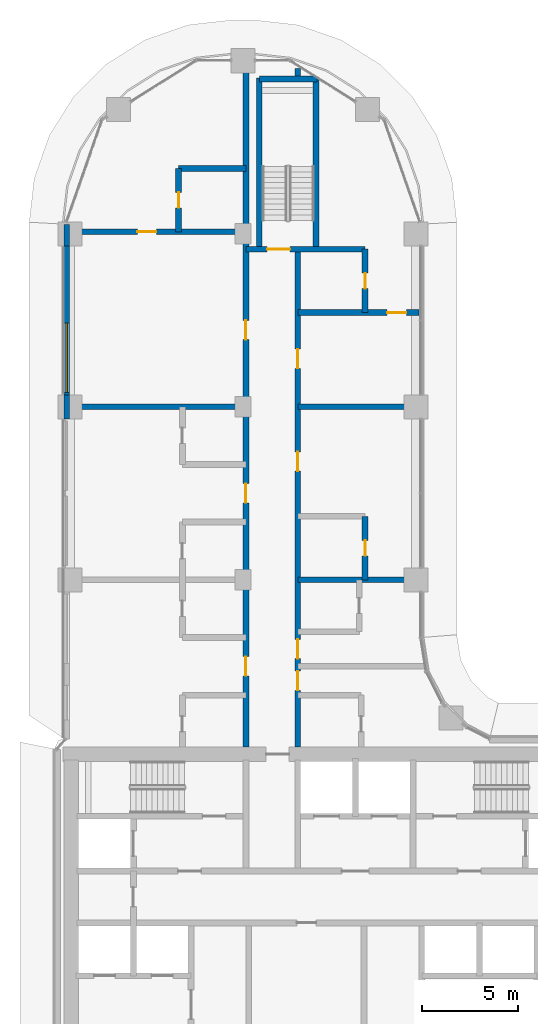
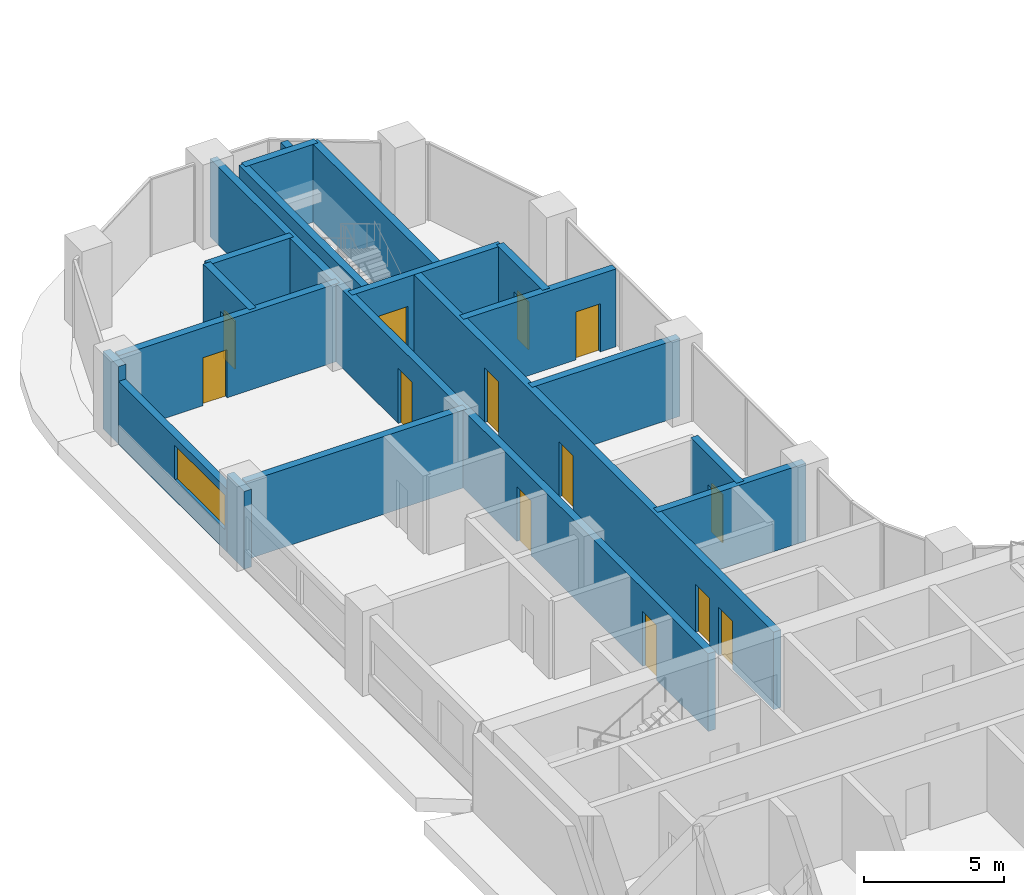
# One storey, part 19 of 33: 19 walls, 13 doors, 1 window, 14 openings.
"""IFC4 building model written with IfcOpenShell, lengths in metres."""

from ifc_helpers import new_model, si_unit, direction, frame, frame_2d, origin, place, context, subcontext, project, spatial, rectangle, extrude, material, layer, layer_set, type_object, element, fill, save


model = new_model("IFC4")

# Units and contexts
model_context = context("Model", 3, precision=1e-05, world=origin(), true_north=direction((0.0, 1.0)))
body_context = subcontext(model_context, "Body", "Model", "MODEL_VIEW")
ifc_project = project(units=[si_unit("LENGTHUNIT", "METRE"), si_unit("AREAUNIT", "SQUARE_METRE"), si_unit("VOLUMEUNIT", "CUBIC_METRE"), si_unit("PLANEANGLEUNIT", "RADIAN"), si_unit("MASSUNIT", "GRAM", prefix="KILO")], contexts=[model_context])

# Site, building, storey
site_placement = place(None, origin())
site = spatial("IfcSite", under=ifc_project, at=site_placement, CompositionType="ELEMENT")
building_placement = place(site_placement, origin())
building = spatial("IfcBuilding", under=site, at=building_placement, Name="Ogive Portal Towers", CompositionType="ELEMENT")
storey_placement = place(building_placement, frame((0.0, 0.0, 98.199951171875)))
storey = spatial("IfcBuildingStorey", under=building, at=storey_placement, Name="L23", CompositionType="ELEMENT", Elevation=98.199951171875)

# Wall
ifc_material_1 = material(Name="Limestone cladding on lightweight block wall", Category="masonry")
ifc_layer_1 = layer(ifc_material_1, 0.300048828125)
ifc_layer_set_1 = layer_set([ifc_layer_1], Name="EXTERNAL WALL 300 STONE")
wall_type_1 = type_object("IfcWallType", Name="EXTERNAL WALL 300 STONE", PredefinedType="SOLIDWALL", material=ifc_layer_set_1)
wall_1_placement = place(storey_placement, frame((31.330078125, 66.986328125, 0.0), z_axis=(0.0, 0.0, 1.0), x_axis=(0.0, -1.0, 0.0)))
element("IfcWall", 1, at=wall_1_placement, inside=storey, type_object=wall_type_1, Name="A:L23:f12:r0:wall", PredefinedType="SOLIDWALL", context=body_context, shape_type="SweptSolid", body=[
    extrude(rectangle(XDim=1.111328125, YDim=0.300048828125, at=frame_2d((0.5556640625, 0.0))), origin(), (0.0, 0.0, 1.0), 3.400146484375),
])

# Wall, opening, window
wall_2_placement = place(storey_placement, frame((31.330078125, 65.875, 0.0), z_axis=(0.0, 0.0, 1.0), x_axis=(0.0, -1.0, 0.0)))
wall_2 = element("IfcWall", 2, at=wall_2_placement, inside=storey, type_object=wall_type_1, Name="A:L23:f12:r0:wall1", PredefinedType="SOLIDWALL", context=body_context, shape_type="SweptSolid", body=[
    extrude(rectangle(XDim=7.75, YDim=0.300048828125, at=frame_2d((3.875, 0.0))), origin(), (0.0, 0.0, 1.0), 2.75),
])
opening_1_placement = place(wall_2_placement, frame((4.02490234375, 0.0, 0.89990234375)))
opening_1 = element("IfcOpeningElement", 3, at=opening_1_placement, cuts=wall_2, Name="Opening WN12", PredefinedType="OPENING", context=body_context, shape_type="SweptSolid", body=[
    extrude(rectangle(XDim=3.60009765625, YDim=1.5, at=frame_2d((1.800048828125, 0.75))), frame((0.0, 0.16015625, 0.0), z_axis=(0.0, -1.0, 0.0), x_axis=(1.0, 0.0, 0.0)), (0.0, 0.0, 1.0), 0.320068359375),
])
ifc_material_2 = material(Name="Glass, clear low-iron insulated glazing", Category="glass")
window_type = type_object("IfcWindowType", Name="WINDOW RIBBON 3600x1500", PartitioningType="TRIPLE_PANEL_VERTICAL", PredefinedType="WINDOW", material=ifc_material_2)
window_placement = place(opening_1_placement, origin())
window = element("IfcWindow", 4, at=window_placement, inside=storey, type_object=window_type, Name="A:L23:f12:r0:w1", OverallHeight=1.5, OverallWidth=3.60009765625, PartitioningType="SINGLE_PANEL", PredefinedType="WINDOW", context=body_context, shape_type="SweptSolid", body=[
    extrude(rectangle(XDim=3.60009765625, YDim=1.5, at=frame_2d((1.800048828125, 0.75))), frame((0.0, 0.030029296875, 0.0), z_axis=(0.0, -1.0, 0.0), x_axis=(1.0, 0.0, 0.0)), (0.0, 0.0, 1.0), 0.06005859375),
])
fill(opening_1, window)

# Wall
wall_3_placement = place(storey_placement, frame((31.330078125, 58.125, 0.0), z_axis=(0.0, 0.0, 1.0), x_axis=(0.0, -1.0, 0.0)))
element("IfcWall", 5, at=wall_3_placement, inside=storey, type_object=wall_type_1, Name="A:L23:f12:r0:wall2", PredefinedType="SOLIDWALL", context=body_context, shape_type="SweptSolid", body=[
    extrude(rectangle(XDim=1.25, YDim=0.300048828125, at=frame_2d((0.625, 0.0))), origin(), (0.0, 0.0, 1.0), 3.400146484375),
])

# Wall, opening, door
ifc_material_3 = material(Name="Concrete C50/60", Category="concrete")
ifc_layer_2 = layer(ifc_material_3, 0.300048828125)
ifc_layer_set_2 = layer_set([ifc_layer_2], Name="STAIR WALL 300 C50")
wall_type_2 = type_object("IfcWallType", Name="STAIR WALL 300 C50", PredefinedType="SHEAR", material=ifc_layer_set_2)
wall_4_placement = place(storey_placement, frame((40.64990234375, 65.699951171875, 0.0), z_axis=(0.0, 0.0, 1.0), x_axis=(1.0, 0.0, 0.0)))
wall_4 = element("IfcWall", 6, at=wall_4_placement, inside=storey, type_object=wall_type_2, Name="Stair wall ST-A3 L23", PredefinedType="SHEAR", context=body_context, shape_type="SweptSolid", body=[
    extrude(rectangle(XDim=6.2001953125, YDim=0.300048828125, at=frame_2d((3.10009765625, 0.0))), origin(), (0.0, 0.0, 1.0), 3.400146484375),
])
opening_2_placement = place(wall_4_placement, frame((1.10009765625, 0.0, 0.0)))
opening_2 = element("IfcOpeningElement", 7, at=opening_2_placement, cuts=wall_4, Name="Opening D08-063", PredefinedType="OPENING", context=body_context, shape_type="SweptSolid", body=[
    extrude(rectangle(XDim=1.199951171875, YDim=2.10009765625, at=frame_2d((0.60009765625, 1.050048828125))), frame((0.0, 0.16015625, 0.0), z_axis=(0.0, -1.0, 0.0), x_axis=(1.0, 0.0, 0.0)), (0.0, 0.0, 1.0), 0.320068359375),
])
ifc_material_4 = material(Name="Steel fire door", Category="steel")
door_type_1 = type_object("IfcDoorType", Name="DT-STAIR-1200x2100-FD90S", OperationType="SINGLE_SWING_LEFT", PredefinedType="DOOR", material=ifc_material_4)
door_1_placement = place(opening_2_placement, origin())
door_1 = element("IfcDoor", 8, at=door_1_placement, inside=storey, type_object=door_type_1, Name="Door D08-063", OperationType="SINGLE_SWING_RIGHT", OverallHeight=2.10009765625, OverallWidth=1.199951171875, PredefinedType="DOOR", context=body_context, shape_type="SweptSolid", body=[
    extrude(rectangle(XDim=1.199951171875, YDim=2.10009765625, at=frame_2d((0.60009765625, 1.050048828125))), frame((0.0, 0.02490234375, 0.0), z_axis=(0.0, -1.0, 0.0), x_axis=(1.0, 0.0, 0.0)), (0.0, 0.0, 1.0), 0.050048828125),
])
fill(opening_2, door_1)

# Walls
wall_5_placement = place(storey_placement, frame((41.35009765625, 74.550048828125, 0.0), z_axis=(0.0, 0.0, 1.0), x_axis=(1.0, 0.0, 0.0)))
element("IfcWall", 9, at=wall_5_placement, inside=storey, type_object=wall_type_2, Name="Stair wall ST-A3 L23", PredefinedType="SHEAR", context=body_context, shape_type="SweptSolid", body=[
    extrude(rectangle(XDim=3.0, YDim=0.300048828125, at=frame_2d((1.5, 0.0))), origin(), (0.0, 0.0, 1.0), 3.400146484375),
])
wall_6_placement = place(storey_placement, frame((41.35009765625, 65.75, 0.0), z_axis=(0.0, 0.0, 1.0), x_axis=(0.0, 1.0, 0.0)))
element("IfcWall", 10, at=wall_6_placement, inside=storey, type_object=wall_type_2, Name="Stair wall ST-A3 L23", PredefinedType="SHEAR", context=body_context, shape_type="SweptSolid", body=[
    extrude(rectangle(XDim=8.85009765625, YDim=0.300048828125, at=frame_2d((4.425048828125, 0.0))), origin(), (0.0, 0.0, 1.0), 3.400146484375),
])
wall_7_placement = place(storey_placement, frame((44.300048828125, 65.699951171875, 0.0), z_axis=(0.0, 0.0, 1.0), x_axis=(0.0, 1.0, 0.0)))
element("IfcWall", 11, at=wall_7_placement, inside=storey, type_object=wall_type_2, Name="Stair wall ST-A3 L23", PredefinedType="SHEAR", context=body_context, shape_type="SweptSolid", body=[
    extrude(rectangle(XDim=8.900146484375, YDim=0.300048828125, at=frame_2d((4.4501953125, 0.0))), origin(), (0.0, 0.0, 1.0), 3.400146484375),
])
ifc_material_5 = material(Name="Gypsum board partition on steel studs", Category="steel")
ifc_layer_3 = layer(ifc_material_5, 0.300048828125)
ifc_layer_set_3 = layer_set([ifc_layer_3], Name="WT-PART-300-EI 60")
wall_type_3 = type_object("IfcWallType", Name="WT-PART-300-EI 60", PredefinedType="PARTITIONING", material=ifc_layer_set_3)
wall_8_placement = place(storey_placement, frame((43.35009765625, 48.5, 0.0), z_axis=(0.0, 0.0, 1.0), x_axis=(1.0, 0.0, 0.0)))
element("IfcWall", 12, at=wall_8_placement, inside=storey, type_object=wall_type_3, Name="Wall L23:w018", PredefinedType="PARTITIONING", context=body_context, shape_type="SweptSolid", body=[
    extrude(rectangle(XDim=6.119873046875, YDim=0.300048828125, at=frame_2d((3.06005859375, 0.0))), origin(), (0.0, 0.0, 1.0), 3.400146484375),
])
wall_9_placement = place(storey_placement, frame((31.530029296875, 57.5, 0.0), z_axis=(0.0, 0.0, 1.0), x_axis=(1.0, 0.0, 0.0)))
element("IfcWall", 13, at=wall_9_placement, inside=storey, type_object=wall_type_3, Name="Wall L23:w022", PredefinedType="PARTITIONING", context=body_context, shape_type="SweptSolid", body=[
    extrude(rectangle(XDim=9.119873046875, YDim=0.300048828125, at=frame_2d((4.56005859375, 0.0))), origin(), (0.0, 0.0, 1.0), 3.400146484375),
])
wall_10_placement = place(storey_placement, frame((43.35009765625, 57.5, 0.0), z_axis=(0.0, 0.0, 1.0), x_axis=(1.0, 0.0, 0.0)))
element("IfcWall", 14, at=wall_10_placement, inside=storey, type_object=wall_type_3, Name="Wall L23:w023", PredefinedType="PARTITIONING", context=body_context, shape_type="SweptSolid", body=[
    extrude(rectangle(XDim=6.119873046875, YDim=0.300048828125, at=frame_2d((3.06005859375, 0.0))), origin(), (0.0, 0.0, 1.0), 3.400146484375),
])

# Wall, opening, door
wall_11_placement = place(storey_placement, frame((43.35009765625, 62.39990234375, 0.0), z_axis=(0.0, 0.0, 1.0), x_axis=(1.0, 0.0, 0.0)))
wall_11 = element("IfcWall", 15, at=wall_11_placement, inside=storey, type_object=wall_type_3, Name="Wall L23:w024", PredefinedType="PARTITIONING", context=body_context, shape_type="SweptSolid", body=[
    extrude(rectangle(XDim=6.2998046875, YDim=0.300048828125, at=frame_2d((3.14990234375, 0.0))), origin(), (0.0, 0.0, 1.0), 3.400146484375),
])
opening_3_placement = place(wall_11_placement, frame((4.64990234375, 0.0, 0.0)))
opening_3 = element("IfcOpeningElement", 16, at=opening_3_placement, cuts=wall_11, Name="Opening D08-054", PredefinedType="OPENING", context=body_context, shape_type="SweptSolid", body=[
    extrude(rectangle(XDim=1.0, YDim=2.10009765625, at=frame_2d((0.5, 1.050048828125))), frame((0.0, 0.16015625, 0.0), z_axis=(0.0, -1.0, 0.0), x_axis=(1.0, 0.0, 0.0)), (0.0, 0.0, 1.0), 0.320068359375),
])
door_type_2 = type_object("IfcDoorType", Name="DT-ENTRY-1000x2100-FD60S", OperationType="SINGLE_SWING_LEFT", PredefinedType="DOOR", material=ifc_material_4)
door_2_placement = place(opening_3_placement, origin())
door_2 = element("IfcDoor", 17, at=door_2_placement, inside=storey, type_object=door_type_2, Name="Door D08-054", OperationType="SINGLE_SWING_RIGHT", OverallHeight=2.10009765625, OverallWidth=1.0, PredefinedType="DOOR", context=body_context, shape_type="SweptSolid", body=[
    extrude(rectangle(XDim=1.0, YDim=2.10009765625, at=frame_2d((0.5, 1.050048828125))), frame((0.0, 0.02490234375, 0.0), z_axis=(0.0, -1.0, 0.0), x_axis=(1.0, 0.0, 0.0)), (0.0, 0.0, 1.0), 0.050048828125),
])
fill(opening_3, door_2)

wall_12_placement = place(storey_placement, frame((31.530029296875, 66.60009765625, 0.0), z_axis=(0.0, 0.0, 1.0), x_axis=(1.0, 0.0, 0.0)))
wall_12 = element("IfcWall", 18, at=wall_12_placement, inside=storey, type_object=wall_type_3, Name="Wall L23:w026", PredefinedType="PARTITIONING", context=body_context, shape_type="SweptSolid", body=[
    extrude(rectangle(XDim=9.119873046875, YDim=0.300048828125, at=frame_2d((4.56005859375, 0.0))), origin(), (0.0, 0.0, 1.0), 3.400146484375),
])
opening_4_placement = place(wall_12_placement, frame((3.469970703125, 0.0, 0.0)))
opening_4 = element("IfcOpeningElement", 19, at=opening_4_placement, cuts=wall_12, Name="Opening D08-057", PredefinedType="OPENING", context=body_context, shape_type="SweptSolid", body=[
    extrude(rectangle(XDim=1.0, YDim=2.10009765625, at=frame_2d((0.5, 1.050048828125))), frame((0.0, 0.16015625, 0.0), z_axis=(0.0, -1.0, 0.0), x_axis=(1.0, 0.0, 0.0)), (0.0, 0.0, 1.0), 0.320068359375),
])
door_3_placement = place(opening_4_placement, origin())
door_3 = element("IfcDoor", 20, at=door_3_placement, inside=storey, type_object=door_type_2, Name="Door D08-057", OperationType="SINGLE_SWING_RIGHT", OverallHeight=2.10009765625, OverallWidth=1.0, PredefinedType="DOOR", context=body_context, shape_type="SweptSolid", body=[
    extrude(rectangle(XDim=1.0, YDim=2.10009765625, at=frame_2d((0.5, 1.050048828125))), frame((0.0, 0.02490234375, 0.0), z_axis=(0.0, -1.0, 0.0), x_axis=(1.0, 0.0, 0.0)), (0.0, 0.0, 1.0), 0.050048828125),
])
fill(opening_4, door_3)

# Wall
wall_13_placement = place(storey_placement, frame((37.14990234375, 69.89990234375, 0.0), z_axis=(0.0, 0.0, 1.0), x_axis=(1.0, 0.0, 0.0)))
element("IfcWall", 21, at=wall_13_placement, inside=storey, type_object=wall_type_3, Name="Wall L23:w027", PredefinedType="PARTITIONING", context=body_context, shape_type="SweptSolid", body=[
    extrude(rectangle(XDim=3.5, YDim=0.300048828125, at=frame_2d((1.75, 0.0))), origin(), (0.0, 0.0, 1.0), 3.400146484375),
])

# Wall, opening, door
wall_14_placement = place(storey_placement, frame((37.14990234375, 66.60009765625, 0.0), z_axis=(0.0, 0.0, 1.0), x_axis=(0.0, 1.0, 0.0)))
wall_14 = element("IfcWall", 22, at=wall_14_placement, inside=storey, type_object=wall_type_3, Name="Wall L23:w029", PredefinedType="PARTITIONING", context=body_context, shape_type="SweptSolid", body=[
    extrude(rectangle(XDim=3.2998046875, YDim=0.300048828125, at=frame_2d((1.64990234375, 0.0))), origin(), (0.0, 0.0, 1.0), 3.400146484375),
])
opening_5_placement = place(wall_14_placement, frame((1.25, 0.0, 0.0)))
opening_5 = element("IfcOpeningElement", 23, at=opening_5_placement, cuts=wall_14, Name="Opening D08-058", PredefinedType="OPENING", context=body_context, shape_type="SweptSolid", body=[
    extrude(rectangle(XDim=0.800048828125, YDim=2.10009765625, at=frame_2d((0.39990234375, 1.050048828125))), frame((0.0, 0.16015625, 0.0), z_axis=(0.0, -1.0, 0.0), x_axis=(1.0, 0.0, 0.0)), (0.0, 0.0, 1.0), 0.320068359375),
])
door_type_3 = type_object("IfcDoorType", Name="DT-BATH-800x2100-FD60S", OperationType="SINGLE_SWING_LEFT", PredefinedType="DOOR", material=ifc_material_4)
door_4_placement = place(opening_5_placement, origin())
door_4 = element("IfcDoor", 24, at=door_4_placement, inside=storey, type_object=door_type_3, Name="Door D08-058", OperationType="SINGLE_SWING_LEFT", OverallHeight=2.10009765625, OverallWidth=0.800048828125, PredefinedType="DOOR", context=body_context, shape_type="SweptSolid", body=[
    extrude(rectangle(XDim=0.800048828125, YDim=2.10009765625, at=frame_2d((0.39990234375, 1.050048828125))), frame((0.0, 0.02490234375, 0.0), z_axis=(0.0, -1.0, 0.0), x_axis=(1.0, 0.0, 0.0)), (0.0, 0.0, 1.0), 0.050048828125),
])
fill(opening_5, door_4)

# Wall, openings, doors
wall_15_placement = place(storey_placement, frame((40.64990234375, 39.800048828125, 0.0), z_axis=(0.0, 0.0, 1.0), x_axis=(0.0, 1.0, 0.0)))
wall_15 = element("IfcWall", 25, at=wall_15_placement, inside=storey, type_object=wall_type_3, Name="Wall L23:w033", PredefinedType="PARTITIONING", context=body_context, shape_type="SweptSolid", body=[
    extrude(rectangle(XDim=35.669921875, YDim=0.300048828125, at=frame_2d((17.8349609375, 0.0))), origin(), (0.0, 0.0, 1.0), 3.400146484375),
])
opening_6_placement = place(wall_15_placement, frame((3.699951171875, 0.0, 0.0)))
opening_6 = element("IfcOpeningElement", 26, at=opening_6_placement, cuts=wall_15, Name="Opening D08-047", PredefinedType="OPENING", context=body_context, shape_type="SweptSolid", body=[
    extrude(rectangle(XDim=1.0, YDim=2.39990234375, at=frame_2d((0.5, 1.199951171875))), frame((0.0, 0.16015625, 0.0), z_axis=(0.0, -1.0, 0.0), x_axis=(1.0, 0.0, 0.0)), (0.0, 0.0, 1.0), 0.320068359375),
])
opening_7_placement = place(wall_15_placement, frame((12.699951171875, 0.0, 0.0)))
opening_7 = element("IfcOpeningElement", 27, at=opening_7_placement, cuts=wall_15, Name="Opening D08-052", PredefinedType="OPENING", context=body_context, shape_type="SweptSolid", body=[
    extrude(rectangle(XDim=1.0, YDim=2.39990234375, at=frame_2d((0.5, 1.199951171875))), frame((0.0, 0.16015625, 0.0), z_axis=(0.0, -1.0, 0.0), x_axis=(1.0, 0.0, 0.0)), (0.0, 0.0, 1.0), 0.320068359375),
])
opening_8_placement = place(wall_15_placement, frame((21.199951171875, 0.0, 0.0)))
opening_8 = element("IfcOpeningElement", 28, at=opening_8_placement, cuts=wall_15, Name="Opening D08-056", PredefinedType="OPENING", context=body_context, shape_type="SweptSolid", body=[
    extrude(rectangle(XDim=1.0, YDim=2.39990234375, at=frame_2d((0.5, 1.199951171875))), frame((0.0, 0.16015625, 0.0), z_axis=(0.0, -1.0, 0.0), x_axis=(1.0, 0.0, 0.0)), (0.0, 0.0, 1.0), 0.320068359375),
])
door_type_4 = type_object("IfcDoorType", Name="DT-ENTRY-1000x2400-FD60S", OperationType="SINGLE_SWING_LEFT", PredefinedType="DOOR", material=ifc_material_4)
door_5_placement = place(opening_6_placement, origin())
door_5 = element("IfcDoor", 29, at=door_5_placement, inside=storey, type_object=door_type_4, Name="Door D08-047", OperationType="SINGLE_SWING_RIGHT", OverallHeight=2.39990234375, OverallWidth=1.0, PredefinedType="DOOR", context=body_context, shape_type="SweptSolid", body=[
    extrude(rectangle(XDim=1.0, YDim=2.39990234375, at=frame_2d((0.5, 1.199951171875))), frame((0.0, 0.02490234375, 0.0), z_axis=(0.0, -1.0, 0.0), x_axis=(1.0, 0.0, 0.0)), (0.0, 0.0, 1.0), 0.050048828125),
])
fill(opening_6, door_5)
door_6_placement = place(opening_7_placement, origin())
door_6 = element("IfcDoor", 30, at=door_6_placement, inside=storey, type_object=door_type_4, Name="Door D08-052", OperationType="SINGLE_SWING_LEFT", OverallHeight=2.39990234375, OverallWidth=1.0, PredefinedType="DOOR", context=body_context, shape_type="SweptSolid", body=[
    extrude(rectangle(XDim=1.0, YDim=2.39990234375, at=frame_2d((0.5, 1.199951171875))), frame((0.0, 0.02490234375, 0.0), z_axis=(0.0, -1.0, 0.0), x_axis=(1.0, 0.0, 0.0)), (0.0, 0.0, 1.0), 0.050048828125),
])
fill(opening_7, door_6)
door_7_placement = place(opening_8_placement, origin())
door_7 = element("IfcDoor", 31, at=door_7_placement, inside=storey, type_object=door_type_4, Name="Door D08-056", OperationType="SINGLE_SWING_LEFT", OverallHeight=2.39990234375, OverallWidth=1.0, PredefinedType="DOOR", context=body_context, shape_type="SweptSolid", body=[
    extrude(rectangle(XDim=1.0, YDim=2.39990234375, at=frame_2d((0.5, 1.199951171875))), frame((0.0, 0.02490234375, 0.0), z_axis=(0.0, -1.0, 0.0), x_axis=(1.0, 0.0, 0.0)), (0.0, 0.0, 1.0), 0.050048828125),
])
fill(opening_8, door_7)

# Wall, opening, door
wall_16_placement = place(storey_placement, frame((46.85009765625, 48.5, 0.0), z_axis=(0.0, 0.0, 1.0), x_axis=(0.0, 1.0, 0.0)))
wall_16 = element("IfcWall", 32, at=wall_16_placement, inside=storey, type_object=wall_type_3, Name="Wall L23:w040", PredefinedType="PARTITIONING", context=body_context, shape_type="SweptSolid", body=[
    extrude(rectangle(XDim=3.300048828125, YDim=0.300048828125, at=frame_2d((1.64990234375, 0.0))), origin(), (0.0, 0.0, 1.0), 3.400146484375),
])
opening_9_placement = place(wall_16_placement, frame((1.25, 0.0, 0.0)))
opening_9 = element("IfcOpeningElement", 33, at=opening_9_placement, cuts=wall_16, Name="Opening D08-048", PredefinedType="OPENING", context=body_context, shape_type="SweptSolid", body=[
    extrude(rectangle(XDim=0.800048828125, YDim=2.10009765625, at=frame_2d((0.39990234375, 1.050048828125))), frame((0.0, 0.16015625, 0.0), z_axis=(0.0, -1.0, 0.0), x_axis=(1.0, 0.0, 0.0)), (0.0, 0.0, 1.0), 0.320068359375),
])
door_8_placement = place(opening_9_placement, origin())
door_8 = element("IfcDoor", 34, at=door_8_placement, inside=storey, type_object=door_type_3, Name="Door D08-048", OperationType="SINGLE_SWING_LEFT", OverallHeight=2.10009765625, OverallWidth=0.800048828125, PredefinedType="DOOR", context=body_context, shape_type="SweptSolid", body=[
    extrude(rectangle(XDim=0.800048828125, YDim=2.10009765625, at=frame_2d((0.39990234375, 1.050048828125))), frame((0.0, 0.02490234375, 0.0), z_axis=(0.0, -1.0, 0.0), x_axis=(1.0, 0.0, 0.0)), (0.0, 0.0, 1.0), 0.050048828125),
])
fill(opening_9, door_8)

wall_17_placement = place(storey_placement, frame((46.85009765625, 62.39990234375, 0.0), z_axis=(0.0, 0.0, 1.0), x_axis=(0.0, 1.0, 0.0)))
wall_17 = element("IfcWall", 35, at=wall_17_placement, inside=storey, type_object=wall_type_3, Name="Wall L23:w041", PredefinedType="PARTITIONING", context=body_context, shape_type="SweptSolid", body=[
    extrude(rectangle(XDim=3.300048828125, YDim=0.300048828125, at=frame_2d((1.64990234375, 0.0))), origin(), (0.0, 0.0, 1.0), 3.400146484375),
])
opening_10_placement = place(wall_17_placement, frame((1.25, 0.0, 0.0)))
opening_10 = element("IfcOpeningElement", 36, at=opening_10_placement, cuts=wall_17, Name="Opening D08-055", PredefinedType="OPENING", context=body_context, shape_type="SweptSolid", body=[
    extrude(rectangle(XDim=0.800048828125, YDim=2.10009765625, at=frame_2d((0.39990234375, 1.050048828125))), frame((0.0, 0.16015625, 0.0), z_axis=(0.0, -1.0, 0.0), x_axis=(1.0, 0.0, 0.0)), (0.0, 0.0, 1.0), 0.320068359375),
])
door_9_placement = place(opening_10_placement, origin())
door_9 = element("IfcDoor", 37, at=door_9_placement, inside=storey, type_object=door_type_3, Name="Door D08-055", OperationType="SINGLE_SWING_LEFT", OverallHeight=2.10009765625, OverallWidth=0.800048828125, PredefinedType="DOOR", context=body_context, shape_type="SweptSolid", body=[
    extrude(rectangle(XDim=0.800048828125, YDim=2.10009765625, at=frame_2d((0.39990234375, 1.050048828125))), frame((0.0, 0.02490234375, 0.0), z_axis=(0.0, -1.0, 0.0), x_axis=(1.0, 0.0, 0.0)), (0.0, 0.0, 1.0), 0.050048828125),
])
fill(opening_10, door_9)

# Wall, openings, doors
ifc_material_6 = material(Name="Concrete C40/50", Category="concrete")
ifc_layer_4 = layer(ifc_material_6, 0.300048828125)
ifc_layer_set_4 = layer_set([ifc_layer_4], Name="WT-SHAFT-300")
wall_type_4 = type_object("IfcWallType", Name="WT-SHAFT-300", PredefinedType="SOLIDWALL", material=ifc_layer_set_4)
wall_18_placement = place(storey_placement, frame((43.35009765625, 39.800048828125, 0.0), z_axis=(0.0, 0.0, 1.0), x_axis=(0.0, 1.0, 0.0)))
wall_18 = element("IfcWall", 38, at=wall_18_placement, inside=storey, type_object=wall_type_4, Name="Wall L23:w035", PredefinedType="SOLIDWALL", context=body_context, shape_type="SweptSolid", body=[
    extrude(rectangle(XDim=25.949951171875, YDim=0.300048828125, at=frame_2d((12.97509765625, 0.0))), origin(), (0.0, 0.0, 1.0), 3.400146484375),
])
opening_11_placement = place(wall_18_placement, frame((2.949951171875, 0.0, 0.0)))
opening_11 = element("IfcOpeningElement", 39, at=opening_11_placement, cuts=wall_18, Name="Opening D08-042", PredefinedType="OPENING", context=body_context, shape_type="SweptSolid", body=[
    extrude(rectangle(XDim=1.0, YDim=2.10009765625, at=frame_2d((0.5, 1.050048828125))), frame((0.0, 0.16015625, 0.0), z_axis=(0.0, -1.0, 0.0), x_axis=(1.0, 0.0, 0.0)), (0.0, 0.0, 1.0), 0.320068359375),
])
opening_12_placement = place(wall_18_placement, frame((4.60009765625, 0.0, 0.0)))
opening_12 = element("IfcOpeningElement", 40, at=opening_12_placement, cuts=wall_18, Name="Opening D08-044", PredefinedType="OPENING", context=body_context, shape_type="SweptSolid", body=[
    extrude(rectangle(XDim=1.0, YDim=2.10009765625, at=frame_2d((0.5, 1.050048828125))), frame((0.0, 0.16015625, 0.0), z_axis=(0.0, -1.0, 0.0), x_axis=(1.0, 0.0, 0.0)), (0.0, 0.0, 1.0), 0.320068359375),
])
opening_13_placement = place(wall_18_placement, frame((14.35009765625, 0.0, 0.0)))
opening_13 = element("IfcOpeningElement", 41, at=opening_13_placement, cuts=wall_18, Name="Opening D08-049", PredefinedType="OPENING", context=body_context, shape_type="SweptSolid", body=[
    extrude(rectangle(XDim=1.0, YDim=2.39990234375, at=frame_2d((0.5, 1.199951171875))), frame((0.0, 0.16015625, 0.0), z_axis=(0.0, -1.0, 0.0), x_axis=(1.0, 0.0, 0.0)), (0.0, 0.0, 1.0), 0.320068359375),
])
opening_14_placement = place(wall_18_placement, frame((19.699951171875, 0.0, 0.0)))
opening_14 = element("IfcOpeningElement", 42, at=opening_14_placement, cuts=wall_18, Name="Opening D08-053", PredefinedType="OPENING", context=body_context, shape_type="SweptSolid", body=[
    extrude(rectangle(XDim=1.0, YDim=2.39990234375, at=frame_2d((0.5, 1.199951171875))), frame((0.0, 0.16015625, 0.0), z_axis=(0.0, -1.0, 0.0), x_axis=(1.0, 0.0, 0.0)), (0.0, 0.0, 1.0), 0.320068359375),
])
door_type_5 = type_object("IfcDoorType", Name="DT-ENTRY-1000x2100-FD90S", OperationType="SINGLE_SWING_LEFT", PredefinedType="DOOR", material=ifc_material_4)
door_10_placement = place(opening_11_placement, origin())
door_10 = element("IfcDoor", 43, at=door_10_placement, inside=storey, type_object=door_type_5, Name="Door D08-042", OperationType="SINGLE_SWING_LEFT", OverallHeight=2.10009765625, OverallWidth=1.0, PredefinedType="DOOR", context=body_context, shape_type="SweptSolid", body=[
    extrude(rectangle(XDim=1.0, YDim=2.10009765625, at=frame_2d((0.5, 1.050048828125))), frame((0.0, 0.02490234375, 0.0), z_axis=(0.0, -1.0, 0.0), x_axis=(1.0, 0.0, 0.0)), (0.0, 0.0, 1.0), 0.050048828125),
])
fill(opening_11, door_10)
door_11_placement = place(opening_12_placement, origin())
door_11 = element("IfcDoor", 44, at=door_11_placement, inside=storey, type_object=door_type_5, Name="Door D08-044", OperationType="SINGLE_SWING_LEFT", OverallHeight=2.10009765625, OverallWidth=1.0, PredefinedType="DOOR", context=body_context, shape_type="SweptSolid", body=[
    extrude(rectangle(XDim=1.0, YDim=2.10009765625, at=frame_2d((0.5, 1.050048828125))), frame((0.0, 0.02490234375, 0.0), z_axis=(0.0, -1.0, 0.0), x_axis=(1.0, 0.0, 0.0)), (0.0, 0.0, 1.0), 0.050048828125),
])
fill(opening_12, door_11)
door_type_6 = type_object("IfcDoorType", Name="DT-ENTRY-1000x2400-FD90S", OperationType="SINGLE_SWING_LEFT", PredefinedType="DOOR", material=ifc_material_4)
door_12_placement = place(opening_13_placement, origin())
door_12 = element("IfcDoor", 45, at=door_12_placement, inside=storey, type_object=door_type_6, Name="Door D08-049", OperationType="SINGLE_SWING_RIGHT", OverallHeight=2.39990234375, OverallWidth=1.0, PredefinedType="DOOR", context=body_context, shape_type="SweptSolid", body=[
    extrude(rectangle(XDim=1.0, YDim=2.39990234375, at=frame_2d((0.5, 1.199951171875))), frame((0.0, 0.02490234375, 0.0), z_axis=(0.0, -1.0, 0.0), x_axis=(1.0, 0.0, 0.0)), (0.0, 0.0, 1.0), 0.050048828125),
])
fill(opening_13, door_12)
door_13_placement = place(opening_14_placement, origin())
door_13 = element("IfcDoor", 46, at=door_13_placement, inside=storey, type_object=door_type_6, Name="Door D08-053", OperationType="SINGLE_SWING_LEFT", OverallHeight=2.39990234375, OverallWidth=1.0, PredefinedType="DOOR", context=body_context, shape_type="SweptSolid", body=[
    extrude(rectangle(XDim=1.0, YDim=2.39990234375, at=frame_2d((0.5, 1.199951171875))), frame((0.0, 0.02490234375, 0.0), z_axis=(0.0, -1.0, 0.0), x_axis=(1.0, 0.0, 0.0)), (0.0, 0.0, 1.0), 0.050048828125),
])
fill(opening_14, door_13)

# Wall
wall_19_placement = place(storey_placement, frame((43.35009765625, 74.698974609375, 0.0), z_axis=(0.0, 0.0, 1.0), x_axis=(0.0, 1.0, 0.0)))
element("IfcWall", 47, at=wall_19_placement, inside=storey, type_object=wall_type_4, Name="Wall L23:w036", PredefinedType="SOLIDWALL", context=body_context, shape_type="SweptSolid", body=[
    extrude(rectangle(XDim=0.39404296875, YDim=0.300048828125, at=frame_2d((0.197021484375, 0.0))), origin(), (0.0, 0.0, 1.0), 3.400146484375),
])

save(model, "model.ifc")
